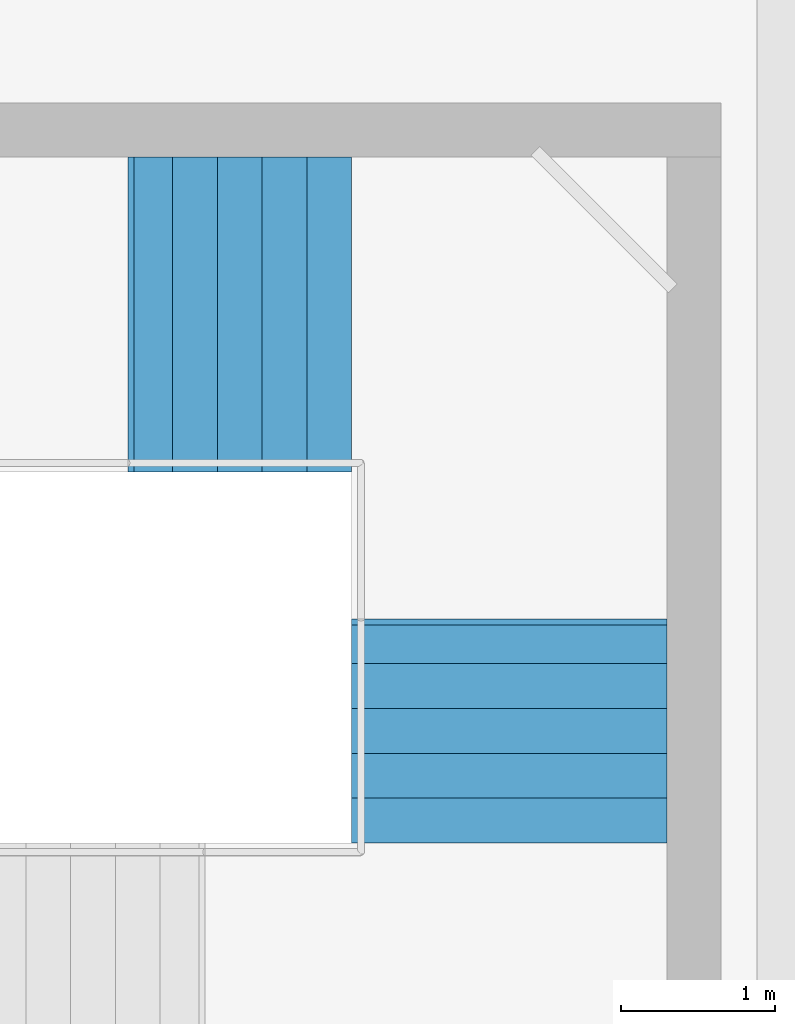
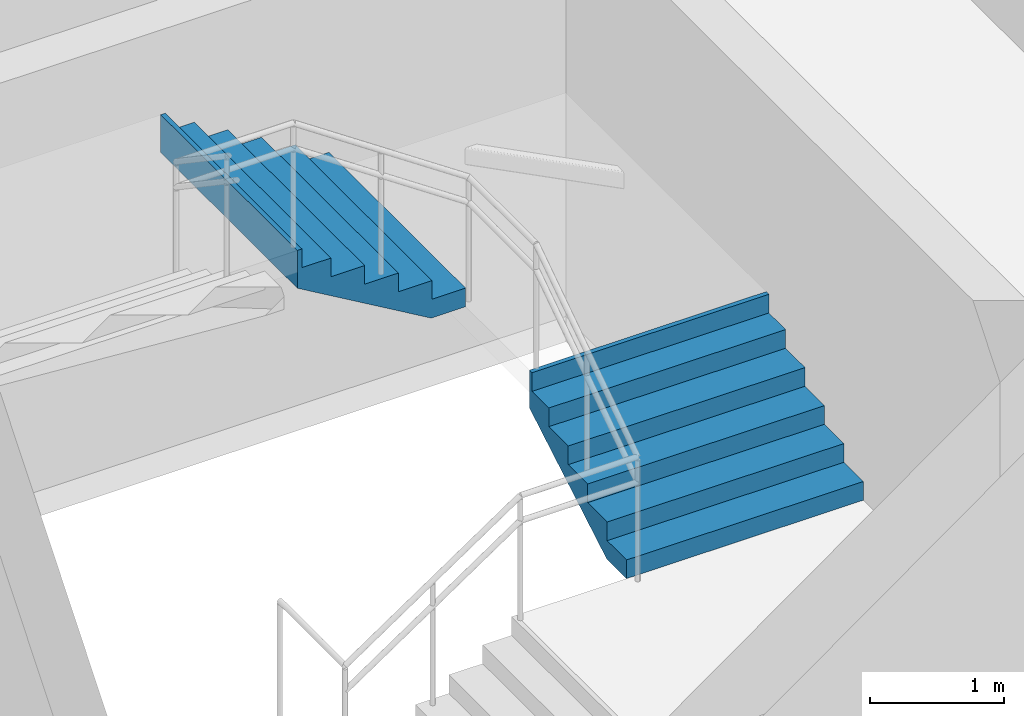
# One storey, part 61 of 70: 2 stair flights, 1 element without a shape of its own.
"""IFC4 building model written with IfcOpenShell, lengths in metres."""

import ifcopenshell
import ifcopenshell.guid

model = None  # the IFC model being written
_history = None  # IfcOwnerHistory: only IFC2X3 demands one
_inside = {}  # id of a spatial element -> (the spatial element, [elements in it])
_under = {}  # id of a project, library or spatial element -> (it, [spatial elements below it])
_declared = {}  # id of a project -> (the project, [libraries it declares])
_typed = {}  # id of a type object -> (the type object, [elements of that type])
_made_of = {}  # id of a material, layer set ... -> (it, [elements and type objects made of it])


def new_model(schema):
    """Start an empty IFC model of exactly this schema.

    Asked for "IFC4X3", IfcOpenShell would pick the latest addendum, in which some entities
    have other attributes; the version numbers below select the first issue.
    IFC2X3 requires an IfcOwnerHistory on every rooted entity: one is made here for all.
    """
    global model, _history
    if schema == "IFC4X3":
        model = ifcopenshell.file(schema_version=(4, 3, 0, 0))
    else:
        model = ifcopenshell.file(schema=schema)
    _inside.clear()
    _under.clear()
    _declared.clear()
    _typed.clear()
    _made_of.clear()
    _history = None
    if model.schema == "IFC2X3":
        org = make("IfcOrganization", Name="unknown")
        user = make(
            "IfcPersonAndOrganization",
            ThePerson=make("IfcPerson", FamilyName="unknown"),
            TheOrganization=org,
        )
        app = make(
            "IfcApplication",
            ApplicationDeveloper=org,
            Version="unknown",
            ApplicationFullName="unknown",
            ApplicationIdentifier="unknown",
        )
        _history = make(
            "IfcOwnerHistory",
            OwningUser=user,
            OwningApplication=app,
            ChangeAction="ADDED",
            CreationDate=0,
        )
    return model


def make(cls, **values):
    """One entity of the class cls with the attributes given. An attribute that is None is left unset."""
    return model.create_entity(
        cls, **{name: value for name, value in values.items() if value is not None}
    )


def rooted(cls, **values):
    """An entity with a GlobalId (a new one), such as an element, a storey or a relation."""
    return make(cls, GlobalId=ifcopenshell.guid.new(), OwnerHistory=_history, **values)


def si_unit(unit_type, name, prefix=None):
    """IfcSIUnit, for example si_unit("LENGTHUNIT", "METRE", prefix="MILLI")."""
    return make("IfcSIUnit", UnitType=unit_type, Prefix=prefix, Name=name)


def assignment(units):
    """IfcUnitAssignment: the units of a project."""
    return None if units is None else make("IfcUnitAssignment", Units=units)


def point(xyz):
    """IfcCartesianPoint."""
    return None if xyz is None else make("IfcCartesianPoint", Coordinates=xyz)


def direction(xyz):
    """IfcDirection."""
    return None if xyz is None else make("IfcDirection", DirectionRatios=xyz)


def frame(location, z_axis=None, x_axis=None):
    """IfcAxis2Placement3D, a coordinate frame: its origin and axes. An axis left out is left unset."""
    return make(
        "IfcAxis2Placement3D",
        Location=point(location),
        Axis=direction(z_axis),
        RefDirection=direction(x_axis),
    )


def origin():
    """The frame at (0, 0, 0) with its axes left unset."""
    return frame((0.0, 0.0, 0.0))


def place(relative_to, where):
    """IfcLocalPlacement: puts the frame where relative to a parent placement (None: the world)."""
    return make(
        "IfcLocalPlacement", PlacementRelTo=relative_to, RelativePlacement=where
    )


def context(
    kind, dimensions, precision=None, world=None, true_north=None, identifier=None
):
    """IfcGeometricRepresentationContext, for example the 3D "Model" context."""
    return make(
        "IfcGeometricRepresentationContext",
        ContextIdentifier=identifier,
        ContextType=kind,
        CoordinateSpaceDimension=dimensions,
        Precision=precision,
        WorldCoordinateSystem=world,
        TrueNorth=true_north,
    )


def subcontext(parent, identifier, kind, view, scale=None):
    """IfcGeometricRepresentationSubContext, for example "Body" below "Model"."""
    return make(
        "IfcGeometricRepresentationSubContext",
        ContextIdentifier=identifier,
        ContextType=kind,
        ParentContext=parent,
        TargetScale=scale,
        TargetView=view,
    )


def project(units=None, contexts=None):
    """IfcProject with its units and contexts."""
    return rooted(
        "IfcProject",
        Name="project",
        RepresentationContexts=contexts,
        UnitsInContext=assignment(units),
    )


def spatial(cls, under=None, at=None, **own):
    """A site, building, storey or space (cls), placed at a placement, below another one or the project."""
    s = rooted(cls, ObjectPlacement=at, **own)
    if under is not None:
        _under.setdefault(under.id(), (under, []))[1].append(s)
    return s


def point_list(points):
    """IfcCartesianPointList2D or 3D."""
    cls = (
        "IfcCartesianPointList2D" if len(points[0]) == 2 else "IfcCartesianPointList3D"
    )
    return make(cls, CoordList=points)


def triangles(points, corners, closed=None, point_numbers=None):
    """IfcTriangulatedFaceSet: each triangle names its three corners, points numbered from 1."""
    return make(
        "IfcTriangulatedFaceSet",
        Coordinates=point_list(points),
        Closed=closed,
        CoordIndex=corners,
        PnIndex=point_numbers,
    )


def shape(context_of_items, identifier, shape_type, items):
    """IfcShapeRepresentation: the items that make up one representation, for example the "Body"."""
    return make(
        "IfcShapeRepresentation",
        ContextOfItems=context_of_items,
        RepresentationIdentifier=identifier,
        RepresentationType=shape_type,
        Items=items,
    )


def material(Name=None, Category=None):
    """IfcMaterial."""
    return make("IfcMaterial", Name=Name, Category=Category)


def made_of(thing, what):
    """Note that an element or type object is made of a material, layer set ...; save() writes the relation."""
    if what is not None:
        _made_of.setdefault(what.id(), (what, []))[1].append(thing)
    return thing


def type_object(cls, material=None, **own):
    """A type object (cls), such as IfcWallType, which elements share."""
    return made_of(rooted(cls, **own), material)


def element(
    cls,
    number,
    at=None,
    inside=None,
    cuts=None,
    type_object=None,
    material=None,
    context=None,
    identifier="Body",
    shape_type=None,
    held_by="IfcProductDefinitionShape",
    body=None,
    shapes=None,
    **own,
):
    """One element of the class cls, such as IfcWall. Its Tag is "e" and its number.

    at: its placement. inside: the storey or other place that contains it. cuts: it is an
    opening in that element (IfcRelVoidsElement). A single representation is given by context,
    identifier, shape_type and body (its items); several are given by shapes. held_by: the class
    of the entity that holds the representations. save() writes the other relations.
    """
    e = rooted(cls, Tag="e%d" % number, ObjectPlacement=at, **own)
    if body is not None:
        shapes = [shape(context, identifier, shape_type, body)]
    if shapes is not None:
        e.Representation = make(held_by, Representations=shapes)
    if inside is not None:
        _inside.setdefault(inside.id(), (inside, []))[1].append(e)
    if cuts is not None:
        rooted(
            "IfcRelVoidsElement", RelatingBuildingElement=cuts, RelatedOpeningElement=e
        )
    if type_object is not None:
        _typed.setdefault(type_object.id(), (type_object, []))[1].append(e)
    return made_of(e, material)


def aggregate(whole, parts):
    """IfcRelAggregates: a whole, such as a stair, and the parts it consists of."""
    return rooted("IfcRelAggregates", RelatingObject=whole, RelatedObjects=parts)


def save(model, path):
    """Write the relations noted so far, then the file.

    IfcRelAggregates (storeys below a building ...), IfcRelContainedInSpatialStructure (elements
    in a storey), IfcRelDefinesByType, IfcRelAssociatesMaterial and IfcRelDeclares: one each for
    every whole, place, type object, material and project.
    """
    for whole, parts in _under.values():
        aggregate(whole, parts)
    for where, things in _inside.values():
        rooted(
            "IfcRelContainedInSpatialStructure",
            RelatedElements=things,
            RelatingStructure=where,
        )
    for kind, things in _typed.values():
        rooted("IfcRelDefinesByType", RelatedObjects=things, RelatingType=kind)
    for what, things in _made_of.values():
        rooted("IfcRelAssociatesMaterial", RelatedObjects=things, RelatingMaterial=what)
    for by, libraries in _declared.values():
        rooted("IfcRelDeclares", RelatingContext=by, RelatedDefinitions=libraries)
    model.write(path)


model = new_model("IFC4")

# Units and contexts
model_context = context("Model", 3, precision=1e-05, world=origin(), true_north=direction((0.0, 1.0)))
body_context = subcontext(model_context, "Body", "Model", "MODEL_VIEW")
ifc_project = project(units=[si_unit("LENGTHUNIT", "METRE"), si_unit("AREAUNIT", "SQUARE_METRE"), si_unit("VOLUMEUNIT", "CUBIC_METRE"), si_unit("PLANEANGLEUNIT", "RADIAN"), si_unit("MASSUNIT", "GRAM", prefix="KILO")], contexts=[model_context])

# Site, building, storey
site_placement = place(None, origin())
site = spatial("IfcSite", under=ifc_project, at=site_placement, CompositionType="ELEMENT")
building_placement = place(site_placement, origin())
building = spatial("IfcBuilding", under=site, at=building_placement, Name="Sillaruma Civic Art Gallery", CompositionType="ELEMENT")
storey_placement = place(building_placement, frame((0.0, 0.0, 66.300048828125)))
storey = spatial("IfcBuildingStorey", under=building, at=storey_placement, Name="L13", CompositionType="ELEMENT", Elevation=66.300048828125)

# Stair, stair flights
ifc_material = material(Name="Concrete H35 (35 MPa)", Category="concrete")
stair_type = type_object("IfcStairType", Name="STR-4F-24", PredefinedType="USERDEFINED", material=ifc_material)
stair_placement = place(storey_placement, origin())
stair = element("IfcStair", 1, at=stair_placement, inside=storey, type_object=stair_type, Name="Protected Exit Stair ST-03 (West Bar South) (L13)", ObjectType="THREE_RETURN_STAIR", PredefinedType="USERDEFINED")
stair_flight_type = type_object("IfcStairFlightType", Name="SFL-STR-6", PredefinedType="STRAIGHT", material=ifc_material)
stair_flight_1_placement = place(storey_placement, frame((68.219970703125, 33.449951171875, 1.02001953125), z_axis=(0.0, 0.0, 1.0), x_axis=(0.0, 1.0, 0.0)))
stair_flight_1 = element("IfcStairFlight", 2, at=stair_flight_1_placement, type_object=stair_flight_type, Name="ST-03 flight 2", NumberOfRisers=6, NumberOfTreads=5, PredefinedType="STRAIGHT", RiserHeight=0.17, TreadLength=0.29, context=body_context, shape_type="Tessellation", body=[
    triangles([(0.0, -1.02001953125, 0.0), (0.29, -1.02001953125, 0.0), (0.296365, -1.02001953125, 0.0), (0.58, -1.02001953125, 0.166269), (0.87, -1.02001953125, 0.336269), (1.16, -1.02001953125, 0.506269), (1.409951, -1.02001953125, 0.652792), (1.449951, -1.02001953125, 0.67624), (1.449951, -1.02001953125, 1.02), (1.409951, -1.02001953125, 1.02), (1.409951, -1.02001953125, 0.85), (1.16, -1.02001953125, 0.85), (1.16, -1.02001953125, 0.68), (0.87, -1.02001953125, 0.68), (0.87, -1.02001953125, 0.51), (0.58, -1.02001953125, 0.51), (0.58, -1.02001953125, 0.34), (0.296365, -1.02001953125, 0.34), (0.29, -1.02001953125, 0.34), (0.29, -1.02001953125, 0.17), (0.0, -1.02001953125, 0.17), (0.0, -0.05, 0.0), (0.29, -0.05, 0.0), (0.296365, -0.05, 0.0), (0.58, -0.05, 0.166269), (0.87, -0.05, 0.336269), (1.16, -0.05, 0.506269), (1.409951, -0.05, 0.652792), (1.449951, -0.05, 0.67624), (1.449951, -0.05, 1.02), (1.409951, -0.05, 1.02), (1.409951, -0.05, 0.85), (1.16, -0.05, 0.85), (1.16, -0.05, 0.68), (0.87, -0.05, 0.68), (0.87, -0.05, 0.51), (0.58, -0.05, 0.51), (0.58, -0.05, 0.34), (0.296365, -0.05, 0.34), (0.29, -0.05, 0.34), (0.29, -0.05, 0.17), (0.0, -0.05, 0.17), (0.0, -0.0375, 0.0), (0.29, -0.0375, 0.0), (0.296365, -0.0375, 0.0), (0.58, -0.0375, 0.166269), (0.87, -0.0375, 0.336269), (1.16, -0.0375, 0.506269), (1.409951, -0.0375, 0.652792), (1.449951, -0.0375, 0.67624), (1.449951, -0.0375, 1.02), (1.409951, -0.0375, 1.02), (1.409951, -0.0375, 0.85), (1.16, -0.0375, 0.85), (1.16, -0.0375, 0.68), (0.87, -0.0375, 0.68), (0.87, -0.0375, 0.51), (0.58, -0.0375, 0.51), (0.58, -0.0375, 0.34), (0.296365, -0.0375, 0.34), (0.29, -0.0375, 0.34), (0.29, -0.0375, 0.17), (0.0, -0.0375, 0.17), (0.0, -0.025, 0.0), (0.29, -0.025, 0.0), (0.296365, -0.025, 0.0), (0.58, -0.025, 0.166269), (0.87, -0.025, 0.336269), (1.16, -0.025, 0.506269), (1.409951, -0.025, 0.652792), (1.449951, -0.025, 0.67624), (1.449951, -0.025, 1.02), (1.409951, -0.025, 1.02), (1.409951, -0.025, 0.85), (1.16, -0.025, 0.85), (1.16, -0.025, 0.68), (0.87, -0.025, 0.68), (0.87, -0.025, 0.51), (0.58, -0.025, 0.51), (0.58, -0.025, 0.34), (0.296365, -0.025, 0.34), (0.29, -0.025, 0.34), (0.29, -0.025, 0.17), (0.0, -0.025, 0.17), (0.0, -0.0125, 0.0), (0.29, -0.0125, 0.0), (0.296365, -0.0125, 0.0), (0.58, -0.0125, 0.166269), (0.87, -0.0125, 0.336269), (1.16, -0.0125, 0.506269), (1.409951, -0.0125, 0.652792), (1.449951, -0.0125, 0.67624), (1.449951, -0.0125, 1.02), (1.409951, -0.0125, 1.02), (1.409951, -0.0125, 0.85), (1.16, -0.0125, 0.85), (1.16, -0.0125, 0.68), (0.87, -0.0125, 0.68), (0.87, -0.0125, 0.51), (0.58, -0.0125, 0.51), (0.58, -0.0125, 0.34), (0.296365, -0.0125, 0.34), (0.29, -0.0125, 0.34), (0.29, -0.0125, 0.17), (0.0, -0.0125, 0.17), (0.0, 0.0, 0.0), (0.29, 0.0, 0.0), (0.296365, 0.0, 0.0), (0.58, 0.0, 0.166269), (0.87, 0.0, 0.336269), (1.16, 0.0, 0.506269), (1.409951, 0.0, 0.652792), (1.449951, 0.0, 0.67624), (1.449951, 0.0, 1.02), (1.409951, 0.0, 1.02), (1.409951, 0.0, 0.85), (1.16, 0.0, 0.85), (1.16, 0.0, 0.68), (0.87, 0.0, 0.68), (0.87, 0.0, 0.51), (0.58, 0.0, 0.51), (0.58, 0.0, 0.34), (0.296365, 0.0, 0.34), (0.29, 0.0, 0.34), (0.29, 0.0, 0.17), (0.0, 0.0, 0.17), (0.0, 0.0125, 0.0), (0.29, 0.0125, 0.0), (0.296365, 0.0125, 0.0), (0.58, 0.0125, 0.166269), (0.87, 0.0125, 0.336269), (1.16, 0.0125, 0.506269), (1.409951, 0.0125, 0.652792), (1.449951, 0.0125, 0.67624), (1.449951, 0.0125, 1.02), (1.409951, 0.0125, 1.02), (1.409951, 0.0125, 0.85), (1.16, 0.0125, 0.85), (1.16, 0.0125, 0.68), (0.87, 0.0125, 0.68), (0.87, 0.0125, 0.51), (0.58, 0.0125, 0.51), (0.58, 0.0125, 0.34), (0.296365, 0.0125, 0.34), (0.29, 0.0125, 0.34), (0.29, 0.0125, 0.17), (0.0, 0.0125, 0.17), (0.0, 0.025, 0.0), (0.29, 0.025, 0.0), (0.296365, 0.025, 0.0), (0.58, 0.025, 0.166269), (0.87, 0.025, 0.336269), (1.16, 0.025, 0.506269), (1.409951, 0.025, 0.652792), (1.449951, 0.025, 0.67624), (1.449951, 0.025, 1.02), (1.409951, 0.025, 1.02), (1.409951, 0.025, 0.85), (1.16, 0.025, 0.85), (1.16, 0.025, 0.68), (0.87, 0.025, 0.68), (0.87, 0.025, 0.51), (0.58, 0.025, 0.51), (0.58, 0.025, 0.34), (0.296365, 0.025, 0.34), (0.29, 0.025, 0.34), (0.29, 0.025, 0.17), (0.0, 0.025, 0.17), (0.0, 0.0375, 0.0), (0.29, 0.0375, 0.0), (0.296365, 0.0375, 0.0), (0.58, 0.0375, 0.166269), (0.87, 0.0375, 0.336269), (1.16, 0.0375, 0.506269), (1.409951, 0.0375, 0.652792), (1.449951, 0.0375, 0.67624), (1.449951, 0.0375, 1.02), (1.409951, 0.0375, 1.02), (1.409951, 0.0375, 0.85), (1.16, 0.0375, 0.85), (1.16, 0.0375, 0.68), (0.87, 0.0375, 0.68), (0.87, 0.0375, 0.51), (0.58, 0.0375, 0.51), (0.58, 0.0375, 0.34), (0.296365, 0.0375, 0.34), (0.29, 0.0375, 0.34), (0.29, 0.0375, 0.17), (0.0, 0.0375, 0.17), (0.0, 0.05, 0.0), (0.29, 0.05, 0.0), (0.296365, 0.05, 0.0), (0.58, 0.05, 0.166269), (0.87, 0.05, 0.336269), (1.16, 0.05, 0.506269), (1.409951, 0.05, 0.652792), (1.449951, 0.05, 0.67624), (1.449951, 0.05, 1.02), (1.409951, 0.05, 1.02), (1.409951, 0.05, 0.85), (1.16, 0.05, 0.85), (1.16, 0.05, 0.68), (0.87, 0.05, 0.68), (0.87, 0.05, 0.51), (0.58, 0.05, 0.51), (0.58, 0.05, 0.34), (0.296365, 0.05, 0.34), (0.29, 0.05, 0.34), (0.29, 0.05, 0.17), (0.0, 0.05, 0.17), (0.0, 1.02001953125, 0.0), (0.29, 1.02001953125, 0.0), (0.296365, 1.02001953125, 0.0), (0.58, 1.02001953125, 0.166269), (0.87, 1.02001953125, 0.336269), (1.16, 1.02001953125, 0.506269), (1.409951, 1.02001953125, 0.652792), (1.449951, 1.02001953125, 0.67624), (1.449951, 1.02001953125, 1.02), (1.409951, 1.02001953125, 1.02), (1.409951, 1.02001953125, 0.85), (1.16, 1.02001953125, 0.85), (1.16, 1.02001953125, 0.68), (0.87, 1.02001953125, 0.68), (0.87, 1.02001953125, 0.51), (0.58, 1.02001953125, 0.51), (0.58, 1.02001953125, 0.34), (0.296365, 1.02001953125, 0.34), (0.29, 1.02001953125, 0.34), (0.29, 1.02001953125, 0.17), (0.0, 1.02001953125, 0.17)], [[1, 2, 20], [1, 20, 21], [2, 3, 18], [2, 18, 20], [20, 18, 19], [3, 4, 17], [3, 17, 18], [4, 5, 15], [4, 15, 17], [17, 15, 16], [5, 6, 13], [5, 13, 15], [15, 13, 14], [6, 7, 11], [6, 11, 13], [13, 11, 12], [7, 8, 9], [7, 9, 11], [11, 9, 10], [230, 212, 211], [231, 230, 211], [228, 213, 212], [230, 228, 212], [229, 228, 230], [227, 214, 213], [228, 227, 213], [225, 215, 214], [227, 225, 214], [226, 225, 227], [223, 216, 215], [225, 223, 215], [224, 223, 225], [221, 217, 216], [223, 221, 216], [222, 221, 223], [219, 218, 217], [221, 219, 217], [220, 219, 221], [2, 1, 22], [2, 22, 23], [3, 2, 23], [3, 23, 24], [4, 3, 24], [4, 24, 25], [5, 4, 25], [5, 25, 26], [6, 5, 26], [6, 26, 27], [7, 6, 27], [7, 27, 28], [8, 7, 28], [8, 28, 29], [9, 8, 29], [9, 29, 30], [10, 9, 30], [10, 30, 31], [11, 10, 31], [11, 31, 32], [12, 11, 32], [12, 32, 33], [13, 12, 33], [13, 33, 34], [14, 13, 34], [14, 34, 35], [15, 14, 35], [15, 35, 36], [16, 15, 36], [16, 36, 37], [17, 16, 37], [17, 37, 38], [18, 17, 38], [18, 38, 39], [19, 18, 39], [19, 39, 40], [20, 19, 40], [20, 40, 41], [21, 20, 41], [21, 41, 42], [1, 21, 42], [1, 42, 22], [23, 22, 43], [23, 43, 44], [24, 23, 44], [24, 44, 45], [25, 24, 45], [25, 45, 46], [26, 25, 46], [26, 46, 47], [27, 26, 47], [27, 47, 48], [28, 27, 48], [28, 48, 49], [29, 28, 49], [29, 49, 50], [30, 29, 50], [30, 50, 51], [31, 30, 51], [31, 51, 52], [32, 31, 52], [32, 52, 53], [33, 32, 53], [33, 53, 54], [34, 33, 54], [34, 54, 55], [35, 34, 55], [35, 55, 56], [36, 35, 56], [36, 56, 57], [37, 36, 57], [37, 57, 58], [38, 37, 58], [38, 58, 59], [39, 38, 59], [39, 59, 60], [40, 39, 60], [40, 60, 61], [41, 40, 61], [41, 61, 62], [42, 41, 62], [42, 62, 63], [22, 42, 63], [22, 63, 43], [44, 43, 64], [44, 64, 65], [45, 44, 65], [45, 65, 66], [46, 45, 66], [46, 66, 67], [47, 46, 67], [47, 67, 68], [48, 47, 68], [48, 68, 69], [49, 48, 69], [49, 69, 70], [50, 49, 70], [50, 70, 71], [51, 50, 71], [51, 71, 72], [52, 51, 72], [52, 72, 73], [53, 52, 73], [53, 73, 74], [54, 53, 74], [54, 74, 75], [55, 54, 75], [55, 75, 76], [56, 55, 76], [56, 76, 77], [57, 56, 77], [57, 77, 78], [58, 57, 78], [58, 78, 79], [59, 58, 79], [59, 79, 80], [60, 59, 80], [60, 80, 81], [61, 60, 81], [61, 81, 82], [62, 61, 82], [62, 82, 83], [63, 62, 83], [63, 83, 84], [43, 63, 84], [43, 84, 64], [65, 64, 85], [65, 85, 86], [66, 65, 86], [66, 86, 87], [67, 66, 87], [67, 87, 88], [68, 67, 88], [68, 88, 89], [69, 68, 89], [69, 89, 90], [70, 69, 90], [70, 90, 91], [71, 70, 91], [71, 91, 92], [72, 71, 92], [72, 92, 93], [73, 72, 93], [73, 93, 94], [74, 73, 94], [74, 94, 95], [75, 74, 95], [75, 95, 96], [76, 75, 96], [76, 96, 97], [77, 76, 97], [77, 97, 98], [78, 77, 98], [78, 98, 99], [79, 78, 99], [79, 99, 100], [80, 79, 100], [80, 100, 101], [81, 80, 101], [81, 101, 102], [82, 81, 102], [82, 102, 103], [83, 82, 103], [83, 103, 104], [84, 83, 104], [84, 104, 105], [64, 84, 105], [64, 105, 85], [86, 85, 106], [86, 106, 107], [87, 86, 107], [87, 107, 108], [88, 87, 108], [88, 108, 109], [89, 88, 109], [89, 109, 110], [90, 89, 110], [90, 110, 111], [91, 90, 111], [91, 111, 112], [92, 91, 112], [92, 112, 113], [93, 92, 113], [93, 113, 114], [94, 93, 114], [94, 114, 115], [95, 94, 115], [95, 115, 116], [96, 95, 116], [96, 116, 117], [97, 96, 117], [97, 117, 118], [98, 97, 118], [98, 118, 119], [99, 98, 119], [99, 119, 120], [100, 99, 120], [100, 120, 121], [101, 100, 121], [101, 121, 122], [102, 101, 122], [102, 122, 123], [103, 102, 123], [103, 123, 124], [104, 103, 124], [104, 124, 125], [105, 104, 125], [105, 125, 126], [85, 105, 126], [85, 126, 106], [107, 106, 127], [107, 127, 128], [108, 107, 128], [108, 128, 129], [109, 108, 129], [109, 129, 130], [110, 109, 130], [110, 130, 131], [111, 110, 131], [111, 131, 132], [112, 111, 132], [112, 132, 133], [113, 112, 133], [113, 133, 134], [114, 113, 134], [114, 134, 135], [115, 114, 135], [115, 135, 136], [116, 115, 136], [116, 136, 137], [117, 116, 137], [117, 137, 138], [118, 117, 138], [118, 138, 139], [119, 118, 139], [119, 139, 140], [120, 119, 140], [120, 140, 141], [121, 120, 141], [121, 141, 142], [122, 121, 142], [122, 142, 143], [123, 122, 143], [123, 143, 144], [124, 123, 144], [124, 144, 145], [125, 124, 145], [125, 145, 146], [126, 125, 146], [126, 146, 147], [106, 126, 147], [106, 147, 127], [128, 127, 148], [128, 148, 149], [129, 128, 149], [129, 149, 150], [130, 129, 150], [130, 150, 151], [131, 130, 151], [131, 151, 152], [132, 131, 152], [132, 152, 153], [133, 132, 153], [133, 153, 154], [134, 133, 154], [134, 154, 155], [135, 134, 155], [135, 155, 156], [136, 135, 156], [136, 156, 157], [137, 136, 157], [137, 157, 158], [138, 137, 158], [138, 158, 159], [139, 138, 159], [139, 159, 160], [140, 139, 160], [140, 160, 161], [141, 140, 161], [141, 161, 162], [142, 141, 162], [142, 162, 163], [143, 142, 163], [143, 163, 164], [144, 143, 164], [144, 164, 165], [145, 144, 165], [145, 165, 166], [146, 145, 166], [146, 166, 167], [147, 146, 167], [147, 167, 168], [127, 147, 168], [127, 168, 148], [149, 148, 169], [149, 169, 170], [150, 149, 170], [150, 170, 171], [151, 150, 171], [151, 171, 172], [152, 151, 172], [152, 172, 173], [153, 152, 173], [153, 173, 174], [154, 153, 174], [154, 174, 175], [155, 154, 175], [155, 175, 176], [156, 155, 176], [156, 176, 177], [157, 156, 177], [157, 177, 178], [158, 157, 178], [158, 178, 179], [159, 158, 179], [159, 179, 180], [160, 159, 180], [160, 180, 181], [161, 160, 181], [161, 181, 182], [162, 161, 182], [162, 182, 183], [163, 162, 183], [163, 183, 184], [164, 163, 184], [164, 184, 185], [165, 164, 185], [165, 185, 186], [166, 165, 186], [166, 186, 187], [167, 166, 187], [167, 187, 188], [168, 167, 188], [168, 188, 189], [148, 168, 189], [148, 189, 169], [170, 169, 190], [170, 190, 191], [171, 170, 191], [171, 191, 192], [172, 171, 192], [172, 192, 193], [173, 172, 193], [173, 193, 194], [174, 173, 194], [174, 194, 195], [175, 174, 195], [175, 195, 196], [176, 175, 196], [176, 196, 197], [177, 176, 197], [177, 197, 198], [178, 177, 198], [178, 198, 199], [179, 178, 199], [179, 199, 200], [180, 179, 200], [180, 200, 201], [181, 180, 201], [181, 201, 202], [182, 181, 202], [182, 202, 203], [183, 182, 203], [183, 203, 204], [184, 183, 204], [184, 204, 205], [185, 184, 205], [185, 205, 206], [186, 185, 206], [186, 206, 207], [187, 186, 207], [187, 207, 208], [188, 187, 208], [188, 208, 209], [189, 188, 209], [189, 209, 210], [169, 189, 210], [169, 210, 190], [191, 190, 211], [191, 211, 212], [192, 191, 212], [192, 212, 213], [193, 192, 213], [193, 213, 214], [194, 193, 214], [194, 214, 215], [195, 194, 215], [195, 215, 216], [196, 195, 216], [196, 216, 217], [197, 196, 217], [197, 217, 218], [198, 197, 218], [198, 218, 219], [199, 198, 219], [199, 219, 220], [200, 199, 220], [200, 220, 221], [201, 200, 221], [201, 221, 222], [202, 201, 222], [202, 222, 223], [203, 202, 223], [203, 223, 224], [204, 203, 224], [204, 224, 225], [205, 204, 225], [205, 225, 226], [206, 205, 226], [206, 226, 227], [207, 206, 227], [207, 227, 228], [208, 207, 228], [208, 228, 229], [209, 208, 229], [209, 229, 230], [210, 209, 230], [210, 230, 231], [190, 210, 231], [190, 231, 211]], closed=True),
])
stair_flight_2_placement = place(storey_placement, frame((67.199951171875, 36.8701171875, 2.0400390625), z_axis=(0.0, 0.0, 1.0), x_axis=(-1.0, 0.0, 0.0)))
stair_flight_2 = element("IfcStairFlight", 3, at=stair_flight_2_placement, type_object=stair_flight_type, Name="ST-03 flight 3", NumberOfRisers=6, NumberOfTreads=5, PredefinedType="STRAIGHT", RiserHeight=0.17, TreadLength=0.29, context=body_context, shape_type="Tessellation", body=[
    triangles([(0.0, -1.02001953125, 0.0), (0.29, -1.02001953125, 0.0), (0.296365, -1.02001953125, 0.0), (0.58, -1.02001953125, 0.166269), (0.87, -1.02001953125, 0.336269), (1.16, -1.02001953125, 0.506269), (1.409951, -1.02001953125, 0.652792), (1.449951, -1.02001953125, 0.67624), (1.449951, -1.02001953125, 1.02), (1.409951, -1.02001953125, 1.02), (1.409951, -1.02001953125, 0.85), (1.16, -1.02001953125, 0.85), (1.16, -1.02001953125, 0.68), (0.87, -1.02001953125, 0.68), (0.87, -1.02001953125, 0.51), (0.58, -1.02001953125, 0.51), (0.58, -1.02001953125, 0.34), (0.296365, -1.02001953125, 0.34), (0.29, -1.02001953125, 0.34), (0.29, -1.02001953125, 0.17), (0.0, -1.02001953125, 0.17), (0.0, -0.05, 0.0), (0.29, -0.05, 0.0), (0.296365, -0.05, 0.0), (0.58, -0.05, 0.166269), (0.87, -0.05, 0.336269), (1.16, -0.05, 0.506269), (1.409951, -0.05, 0.652792), (1.449951, -0.05, 0.67624), (1.449951, -0.05, 1.02), (1.409951, -0.05, 1.02), (1.409951, -0.05, 0.85), (1.16, -0.05, 0.85), (1.16, -0.05, 0.68), (0.87, -0.05, 0.68), (0.87, -0.05, 0.51), (0.58, -0.05, 0.51), (0.58, -0.05, 0.34), (0.296365, -0.05, 0.34), (0.29, -0.05, 0.34), (0.29, -0.05, 0.17), (0.0, -0.05, 0.17), (0.0, -0.0375, 0.0), (0.29, -0.0375, 0.0), (0.296365, -0.0375, 0.0), (0.58, -0.0375, 0.166269), (0.87, -0.0375, 0.336269), (1.16, -0.0375, 0.506269), (1.409951, -0.0375, 0.652792), (1.449951, -0.0375, 0.67624), (1.449951, -0.0375, 1.02), (1.409951, -0.0375, 1.02), (1.409951, -0.0375, 0.85), (1.16, -0.0375, 0.85), (1.16, -0.0375, 0.68), (0.87, -0.0375, 0.68), (0.87, -0.0375, 0.51), (0.58, -0.0375, 0.51), (0.58, -0.0375, 0.34), (0.296365, -0.0375, 0.34), (0.29, -0.0375, 0.34), (0.29, -0.0375, 0.17), (0.0, -0.0375, 0.17), (0.0, -0.025, 0.0), (0.29, -0.025, 0.0), (0.296365, -0.025, 0.0), (0.58, -0.025, 0.166269), (0.87, -0.025, 0.336269), (1.16, -0.025, 0.506269), (1.409951, -0.025, 0.652792), (1.449951, -0.025, 0.67624), (1.449951, -0.025, 1.02), (1.409951, -0.025, 1.02), (1.409951, -0.025, 0.85), (1.16, -0.025, 0.85), (1.16, -0.025, 0.68), (0.87, -0.025, 0.68), (0.87, -0.025, 0.51), (0.58, -0.025, 0.51), (0.58, -0.025, 0.34), (0.296365, -0.025, 0.34), (0.29, -0.025, 0.34), (0.29, -0.025, 0.17), (0.0, -0.025, 0.17), (0.0, -0.0125, 0.0), (0.29, -0.0125, 0.0), (0.296365, -0.0125, 0.0), (0.58, -0.0125, 0.166269), (0.87, -0.0125, 0.336269), (1.16, -0.0125, 0.506269), (1.409951, -0.0125, 0.652792), (1.449951, -0.0125, 0.67624), (1.449951, -0.0125, 1.02), (1.409951, -0.0125, 1.02), (1.409951, -0.0125, 0.85), (1.16, -0.0125, 0.85), (1.16, -0.0125, 0.68), (0.87, -0.0125, 0.68), (0.87, -0.0125, 0.51), (0.58, -0.0125, 0.51), (0.58, -0.0125, 0.34), (0.296365, -0.0125, 0.34), (0.29, -0.0125, 0.34), (0.29, -0.0125, 0.17), (0.0, -0.0125, 0.17), (0.0, 0.0, 0.0), (0.29, 0.0, 0.0), (0.296365, 0.0, 0.0), (0.58, 0.0, 0.166269), (0.87, 0.0, 0.336269), (1.16, 0.0, 0.506269), (1.409951, 0.0, 0.652792), (1.449951, 0.0, 0.67624), (1.449951, 0.0, 1.02), (1.409951, 0.0, 1.02), (1.409951, 0.0, 0.85), (1.16, 0.0, 0.85), (1.16, 0.0, 0.68), (0.87, 0.0, 0.68), (0.87, 0.0, 0.51), (0.58, 0.0, 0.51), (0.58, 0.0, 0.34), (0.296365, 0.0, 0.34), (0.29, 0.0, 0.34), (0.29, 0.0, 0.17), (0.0, 0.0, 0.17), (0.0, 0.0125, 0.0), (0.29, 0.0125, 0.0), (0.296365, 0.0125, 0.0), (0.58, 0.0125, 0.166269), (0.87, 0.0125, 0.336269), (1.16, 0.0125, 0.506269), (1.409951, 0.0125, 0.652792), (1.449951, 0.0125, 0.67624), (1.449951, 0.0125, 1.02), (1.409951, 0.0125, 1.02), (1.409951, 0.0125, 0.85), (1.16, 0.0125, 0.85), (1.16, 0.0125, 0.68), (0.87, 0.0125, 0.68), (0.87, 0.0125, 0.51), (0.58, 0.0125, 0.51), (0.58, 0.0125, 0.34), (0.296365, 0.0125, 0.34), (0.29, 0.0125, 0.34), (0.29, 0.0125, 0.17), (0.0, 0.0125, 0.17), (0.0, 0.025, 0.0), (0.29, 0.025, 0.0), (0.296365, 0.025, 0.0), (0.58, 0.025, 0.166269), (0.87, 0.025, 0.336269), (1.16, 0.025, 0.506269), (1.409951, 0.025, 0.652792), (1.449951, 0.025, 0.67624), (1.449951, 0.025, 1.02), (1.409951, 0.025, 1.02), (1.409951, 0.025, 0.85), (1.16, 0.025, 0.85), (1.16, 0.025, 0.68), (0.87, 0.025, 0.68), (0.87, 0.025, 0.51), (0.58, 0.025, 0.51), (0.58, 0.025, 0.34), (0.296365, 0.025, 0.34), (0.29, 0.025, 0.34), (0.29, 0.025, 0.17), (0.0, 0.025, 0.17), (0.0, 0.0375, 0.0), (0.29, 0.0375, 0.0), (0.296365, 0.0375, 0.0), (0.58, 0.0375, 0.166269), (0.87, 0.0375, 0.336269), (1.16, 0.0375, 0.506269), (1.409951, 0.0375, 0.652792), (1.449951, 0.0375, 0.67624), (1.449951, 0.0375, 1.02), (1.409951, 0.0375, 1.02), (1.409951, 0.0375, 0.85), (1.16, 0.0375, 0.85), (1.16, 0.0375, 0.68), (0.87, 0.0375, 0.68), (0.87, 0.0375, 0.51), (0.58, 0.0375, 0.51), (0.58, 0.0375, 0.34), (0.296365, 0.0375, 0.34), (0.29, 0.0375, 0.34), (0.29, 0.0375, 0.17), (0.0, 0.0375, 0.17), (0.0, 0.05, 0.0), (0.29, 0.05, 0.0), (0.296365, 0.05, 0.0), (0.58, 0.05, 0.166269), (0.87, 0.05, 0.336269), (1.16, 0.05, 0.506269), (1.409951, 0.05, 0.652792), (1.449951, 0.05, 0.67624), (1.449951, 0.05, 1.02), (1.409951, 0.05, 1.02), (1.409951, 0.05, 0.85), (1.16, 0.05, 0.85), (1.16, 0.05, 0.68), (0.87, 0.05, 0.68), (0.87, 0.05, 0.51), (0.58, 0.05, 0.51), (0.58, 0.05, 0.34), (0.296365, 0.05, 0.34), (0.29, 0.05, 0.34), (0.29, 0.05, 0.17), (0.0, 0.05, 0.17), (0.0, 1.02001953125, 0.0), (0.29, 1.02001953125, 0.0), (0.296365, 1.02001953125, 0.0), (0.58, 1.02001953125, 0.166269), (0.87, 1.02001953125, 0.336269), (1.16, 1.02001953125, 0.506269), (1.409951, 1.02001953125, 0.652792), (1.449951, 1.02001953125, 0.67624), (1.449951, 1.02001953125, 1.02), (1.409951, 1.02001953125, 1.02), (1.409951, 1.02001953125, 0.85), (1.16, 1.02001953125, 0.85), (1.16, 1.02001953125, 0.68), (0.87, 1.02001953125, 0.68), (0.87, 1.02001953125, 0.51), (0.58, 1.02001953125, 0.51), (0.58, 1.02001953125, 0.34), (0.296365, 1.02001953125, 0.34), (0.29, 1.02001953125, 0.34), (0.29, 1.02001953125, 0.17), (0.0, 1.02001953125, 0.17)], [[1, 2, 20], [1, 20, 21], [2, 3, 18], [2, 18, 20], [20, 18, 19], [3, 4, 17], [3, 17, 18], [4, 5, 15], [4, 15, 17], [17, 15, 16], [5, 6, 13], [5, 13, 15], [15, 13, 14], [6, 7, 11], [6, 11, 13], [13, 11, 12], [7, 8, 9], [7, 9, 11], [11, 9, 10], [230, 212, 211], [231, 230, 211], [228, 213, 212], [230, 228, 212], [229, 228, 230], [227, 214, 213], [228, 227, 213], [225, 215, 214], [227, 225, 214], [226, 225, 227], [223, 216, 215], [225, 223, 215], [224, 223, 225], [221, 217, 216], [223, 221, 216], [222, 221, 223], [219, 218, 217], [221, 219, 217], [220, 219, 221], [2, 1, 22], [2, 22, 23], [3, 2, 23], [3, 23, 24], [4, 3, 24], [4, 24, 25], [5, 4, 25], [5, 25, 26], [6, 5, 26], [6, 26, 27], [7, 6, 27], [7, 27, 28], [8, 7, 28], [8, 28, 29], [9, 8, 29], [9, 29, 30], [10, 9, 30], [10, 30, 31], [11, 10, 31], [11, 31, 32], [12, 11, 32], [12, 32, 33], [13, 12, 33], [13, 33, 34], [14, 13, 34], [14, 34, 35], [15, 14, 35], [15, 35, 36], [16, 15, 36], [16, 36, 37], [17, 16, 37], [17, 37, 38], [18, 17, 38], [18, 38, 39], [19, 18, 39], [19, 39, 40], [20, 19, 40], [20, 40, 41], [21, 20, 41], [21, 41, 42], [1, 21, 42], [1, 42, 22], [23, 22, 43], [23, 43, 44], [24, 23, 44], [24, 44, 45], [25, 24, 45], [25, 45, 46], [26, 25, 46], [26, 46, 47], [27, 26, 47], [27, 47, 48], [28, 27, 48], [28, 48, 49], [29, 28, 49], [29, 49, 50], [30, 29, 50], [30, 50, 51], [31, 30, 51], [31, 51, 52], [32, 31, 52], [32, 52, 53], [33, 32, 53], [33, 53, 54], [34, 33, 54], [34, 54, 55], [35, 34, 55], [35, 55, 56], [36, 35, 56], [36, 56, 57], [37, 36, 57], [37, 57, 58], [38, 37, 58], [38, 58, 59], [39, 38, 59], [39, 59, 60], [40, 39, 60], [40, 60, 61], [41, 40, 61], [41, 61, 62], [42, 41, 62], [42, 62, 63], [22, 42, 63], [22, 63, 43], [44, 43, 64], [44, 64, 65], [45, 44, 65], [45, 65, 66], [46, 45, 66], [46, 66, 67], [47, 46, 67], [47, 67, 68], [48, 47, 68], [48, 68, 69], [49, 48, 69], [49, 69, 70], [50, 49, 70], [50, 70, 71], [51, 50, 71], [51, 71, 72], [52, 51, 72], [52, 72, 73], [53, 52, 73], [53, 73, 74], [54, 53, 74], [54, 74, 75], [55, 54, 75], [55, 75, 76], [56, 55, 76], [56, 76, 77], [57, 56, 77], [57, 77, 78], [58, 57, 78], [58, 78, 79], [59, 58, 79], [59, 79, 80], [60, 59, 80], [60, 80, 81], [61, 60, 81], [61, 81, 82], [62, 61, 82], [62, 82, 83], [63, 62, 83], [63, 83, 84], [43, 63, 84], [43, 84, 64], [65, 64, 85], [65, 85, 86], [66, 65, 86], [66, 86, 87], [67, 66, 87], [67, 87, 88], [68, 67, 88], [68, 88, 89], [69, 68, 89], [69, 89, 90], [70, 69, 90], [70, 90, 91], [71, 70, 91], [71, 91, 92], [72, 71, 92], [72, 92, 93], [73, 72, 93], [73, 93, 94], [74, 73, 94], [74, 94, 95], [75, 74, 95], [75, 95, 96], [76, 75, 96], [76, 96, 97], [77, 76, 97], [77, 97, 98], [78, 77, 98], [78, 98, 99], [79, 78, 99], [79, 99, 100], [80, 79, 100], [80, 100, 101], [81, 80, 101], [81, 101, 102], [82, 81, 102], [82, 102, 103], [83, 82, 103], [83, 103, 104], [84, 83, 104], [84, 104, 105], [64, 84, 105], [64, 105, 85], [86, 85, 106], [86, 106, 107], [87, 86, 107], [87, 107, 108], [88, 87, 108], [88, 108, 109], [89, 88, 109], [89, 109, 110], [90, 89, 110], [90, 110, 111], [91, 90, 111], [91, 111, 112], [92, 91, 112], [92, 112, 113], [93, 92, 113], [93, 113, 114], [94, 93, 114], [94, 114, 115], [95, 94, 115], [95, 115, 116], [96, 95, 116], [96, 116, 117], [97, 96, 117], [97, 117, 118], [98, 97, 118], [98, 118, 119], [99, 98, 119], [99, 119, 120], [100, 99, 120], [100, 120, 121], [101, 100, 121], [101, 121, 122], [102, 101, 122], [102, 122, 123], [103, 102, 123], [103, 123, 124], [104, 103, 124], [104, 124, 125], [105, 104, 125], [105, 125, 126], [85, 105, 126], [85, 126, 106], [107, 106, 127], [107, 127, 128], [108, 107, 128], [108, 128, 129], [109, 108, 129], [109, 129, 130], [110, 109, 130], [110, 130, 131], [111, 110, 131], [111, 131, 132], [112, 111, 132], [112, 132, 133], [113, 112, 133], [113, 133, 134], [114, 113, 134], [114, 134, 135], [115, 114, 135], [115, 135, 136], [116, 115, 136], [116, 136, 137], [117, 116, 137], [117, 137, 138], [118, 117, 138], [118, 138, 139], [119, 118, 139], [119, 139, 140], [120, 119, 140], [120, 140, 141], [121, 120, 141], [121, 141, 142], [122, 121, 142], [122, 142, 143], [123, 122, 143], [123, 143, 144], [124, 123, 144], [124, 144, 145], [125, 124, 145], [125, 145, 146], [126, 125, 146], [126, 146, 147], [106, 126, 147], [106, 147, 127], [128, 127, 148], [128, 148, 149], [129, 128, 149], [129, 149, 150], [130, 129, 150], [130, 150, 151], [131, 130, 151], [131, 151, 152], [132, 131, 152], [132, 152, 153], [133, 132, 153], [133, 153, 154], [134, 133, 154], [134, 154, 155], [135, 134, 155], [135, 155, 156], [136, 135, 156], [136, 156, 157], [137, 136, 157], [137, 157, 158], [138, 137, 158], [138, 158, 159], [139, 138, 159], [139, 159, 160], [140, 139, 160], [140, 160, 161], [141, 140, 161], [141, 161, 162], [142, 141, 162], [142, 162, 163], [143, 142, 163], [143, 163, 164], [144, 143, 164], [144, 164, 165], [145, 144, 165], [145, 165, 166], [146, 145, 166], [146, 166, 167], [147, 146, 167], [147, 167, 168], [127, 147, 168], [127, 168, 148], [149, 148, 169], [149, 169, 170], [150, 149, 170], [150, 170, 171], [151, 150, 171], [151, 171, 172], [152, 151, 172], [152, 172, 173], [153, 152, 173], [153, 173, 174], [154, 153, 174], [154, 174, 175], [155, 154, 175], [155, 175, 176], [156, 155, 176], [156, 176, 177], [157, 156, 177], [157, 177, 178], [158, 157, 178], [158, 178, 179], [159, 158, 179], [159, 179, 180], [160, 159, 180], [160, 180, 181], [161, 160, 181], [161, 181, 182], [162, 161, 182], [162, 182, 183], [163, 162, 183], [163, 183, 184], [164, 163, 184], [164, 184, 185], [165, 164, 185], [165, 185, 186], [166, 165, 186], [166, 186, 187], [167, 166, 187], [167, 187, 188], [168, 167, 188], [168, 188, 189], [148, 168, 189], [148, 189, 169], [170, 169, 190], [170, 190, 191], [171, 170, 191], [171, 191, 192], [172, 171, 192], [172, 192, 193], [173, 172, 193], [173, 193, 194], [174, 173, 194], [174, 194, 195], [175, 174, 195], [175, 195, 196], [176, 175, 196], [176, 196, 197], [177, 176, 197], [177, 197, 198], [178, 177, 198], [178, 198, 199], [179, 178, 199], [179, 199, 200], [180, 179, 200], [180, 200, 201], [181, 180, 201], [181, 201, 202], [182, 181, 202], [182, 202, 203], [183, 182, 203], [183, 203, 204], [184, 183, 204], [184, 204, 205], [185, 184, 205], [185, 205, 206], [186, 185, 206], [186, 206, 207], [187, 186, 207], [187, 207, 208], [188, 187, 208], [188, 208, 209], [189, 188, 209], [189, 209, 210], [169, 189, 210], [169, 210, 190], [191, 190, 211], [191, 211, 212], [192, 191, 212], [192, 212, 213], [193, 192, 213], [193, 213, 214], [194, 193, 214], [194, 214, 215], [195, 194, 215], [195, 215, 216], [196, 195, 216], [196, 216, 217], [197, 196, 217], [197, 217, 218], [198, 197, 218], [198, 218, 219], [199, 198, 219], [199, 219, 220], [200, 199, 220], [200, 220, 221], [201, 200, 221], [201, 221, 222], [202, 201, 222], [202, 222, 223], [203, 202, 223], [203, 223, 224], [204, 203, 224], [204, 224, 225], [205, 204, 225], [205, 225, 226], [206, 205, 226], [206, 226, 227], [207, 206, 227], [207, 227, 228], [208, 207, 228], [208, 228, 229], [209, 208, 229], [209, 229, 230], [210, 209, 230], [210, 230, 231], [190, 210, 231], [190, 231, 211]], closed=True),
])
aggregate(stair, [stair_flight_1, stair_flight_2])

save(model, "model.ifc")
